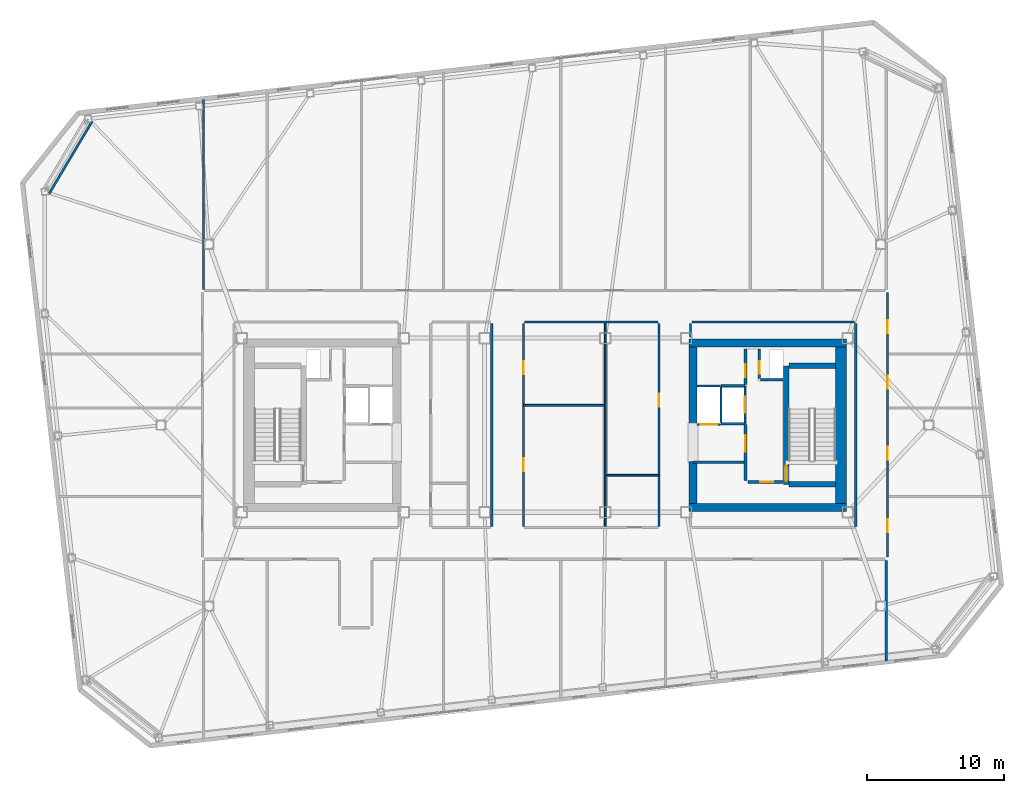
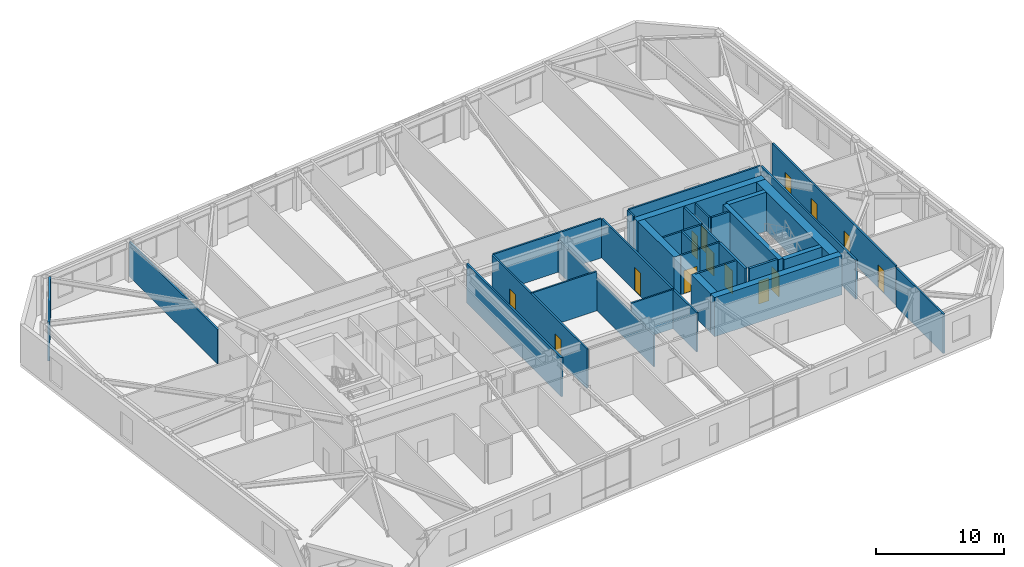
# One storey, part 14 of 19: 34 walls, 14 doors, 14 openings.
"""IFC4 building model written with IfcOpenShell, lengths in metres."""

from ifc_helpers import new_model, si_unit, direction, frame, frame_2d, origin, place, context, subcontext, project, spatial, rectangle, extrude, material, layer, layer_set, type_object, element, fill, save


model = new_model("IFC4")

# Units and contexts
model_context = context("Model", 3, precision=1e-05, world=origin(), true_north=direction((0.0, 1.0)))
body_context = subcontext(model_context, "Body", "Model", "MODEL_VIEW")
ifc_project = project(units=[si_unit("LENGTHUNIT", "METRE"), si_unit("AREAUNIT", "SQUARE_METRE"), si_unit("VOLUMEUNIT", "CUBIC_METRE"), si_unit("PLANEANGLEUNIT", "RADIAN"), si_unit("MASSUNIT", "GRAM", prefix="KILO")], contexts=[model_context])

# Site, building, storey
site_placement = place(None, origin())
site = spatial("IfcSite", under=ifc_project, at=site_placement, CompositionType="ELEMENT")
building_placement = place(site_placement, origin())
building = spatial("IfcBuilding", under=site, at=building_placement, Name="Tavrogorsk Clinical Tower", CompositionType="ELEMENT")
storey_placement = place(building_placement, frame((0.0, 0.0, 255.0)))
storey = spatial("IfcBuildingStorey", under=building, at=storey_placement, Name="L59", CompositionType="ELEMENT", Elevation=255.0)

# Wall, opening, door
ifc_material_1 = material(Name="Concrete B60", Category="concrete")
ifc_layer_1 = layer(ifc_material_1, 0.199951171875)
ifc_layer_set_1 = layer_set([ifc_layer_1], Name="Concrete B60")
wall_type_1 = type_object("IfcWallType", Name="CoreFireWall_200", PredefinedType="SOLIDWALL", material=ifc_layer_set_1)
wall_1_placement = place(storey_placement, frame((14.824951171875, -4.139892578125, 0.0), z_axis=(0.0, 0.0, 1.0), x_axis=(1.0, 0.0, 0.0)))
wall_1 = element("IfcWall", 1, at=wall_1_placement, inside=storey, type_object=wall_type_1, Name="L59 Core East South Core Room Fire Wall", PredefinedType="SOLIDWALL", context=body_context, shape_type="SweptSolid", body=[
    extrude(rectangle(XDim=2.554931640625, YDim=0.199951171875, at=frame_2d((1.27734375, 0.0))), origin(), (0.0, 0.0, 1.0), 3.739990234375),
])
opening_1_placement = place(wall_1_placement, frame((0.8798828125, 0.0, 0.0)))
opening_1 = element("IfcOpeningElement", 2, at=opening_1_placement, cuts=wall_1, Name="Opening ID-02", PredefinedType="OPENING", context=body_context, shape_type="SweptSolid", body=[
    extrude(rectangle(XDim=0.949951171875, YDim=2.199951171875, at=frame_2d((0.47509765625, 1.10009765625))), frame((0.0, 0.10986328125, 0.0), z_axis=(0.0, -1.0, 0.0), x_axis=(1.0, 0.0, 0.0)), (0.0, 0.0, 1.0), 0.219970703125),
])
ifc_material_2 = material(Name="Laminated timber leaf on aluminium frame", Category="wood")
door_type_1 = type_object("IfcDoorType", Name="InteriorDoor_ID02_950", OperationType="NOTDEFINED", PredefinedType="DOOR", material=ifc_material_2)
door_1_placement = place(opening_1_placement, origin())
door_1 = element("IfcDoor", 3, at=door_1_placement, inside=storey, type_object=door_type_1, Name="L59 Core East South Core Room Door", OperationType="SINGLE_SWING_RIGHT", OverallHeight=2.199951171875, OverallWidth=0.949951171875, PredefinedType="DOOR", context=body_context, shape_type="SweptSolid", body=[
    extrude(rectangle(XDim=0.949951171875, YDim=2.199951171875, at=frame_2d((0.47509765625, 1.10009765625))), frame((0.0, 0.02490234375, 0.0), z_axis=(0.0, -1.0, 0.0), x_axis=(1.0, 0.0, 0.0)), (0.0, 0.0, 1.0), 0.050048828125),
])
fill(opening_1, door_1)

wall_2_placement = place(storey_placement, frame((14.639892578125, 2.9599609375, 0.0), z_axis=(0.0, 0.0, 1.0), x_axis=(0.0, 1.0, 0.0)))
wall_2 = element("IfcWall", 4, at=wall_2_placement, inside=storey, type_object=wall_type_1, Name="L59 Core East North Core Room East Wall", PredefinedType="SOLIDWALL", context=body_context, shape_type="SweptSolid", body=[
    extrude(rectangle(XDim=2.60009765625, YDim=0.199951171875, at=frame_2d((1.300048828125, 0.0))), origin(), (0.0, 0.0, 1.0), 3.739990234375),
])
opening_2_placement = place(wall_2_placement, frame((0.52001953125, 0.0, 0.0)))
opening_2 = element("IfcOpeningElement", 5, at=opening_2_placement, cuts=wall_2, Name="Opening ID-02", PredefinedType="OPENING", context=body_context, shape_type="SweptSolid", body=[
    extrude(rectangle(XDim=0.949951171875, YDim=2.199951171875, at=frame_2d((0.47509765625, 1.10009765625))), frame((0.0, 0.10986328125, 0.0), z_axis=(0.0, -1.0, 0.0), x_axis=(1.0, 0.0, 0.0)), (0.0, 0.0, 1.0), 0.219970703125),
])
door_2_placement = place(opening_2_placement, origin())
door_2 = element("IfcDoor", 6, at=door_2_placement, inside=storey, type_object=door_type_1, Name="L59 Core East Core Telemetry Room Door", OperationType="SINGLE_SWING_LEFT", OverallHeight=2.199951171875, OverallWidth=0.949951171875, PredefinedType="DOOR", context=body_context, shape_type="SweptSolid", body=[
    extrude(rectangle(XDim=0.949951171875, YDim=2.199951171875, at=frame_2d((0.47509765625, 1.10009765625))), frame((0.0, 0.02490234375, 0.0), z_axis=(0.0, -1.0, 0.0), x_axis=(1.0, 0.0, 0.0)), (0.0, 0.0, 1.0), 0.050048828125),
])
fill(opening_2, door_2)

wall_3_placement = place(storey_placement, frame((14.639892578125, -4.034912109375, 0.0), z_axis=(0.0, 0.0, 1.0), x_axis=(0.0, 1.0, 0.0)))
wall_3 = element("IfcWall", 7, at=wall_3_placement, inside=storey, type_object=wall_type_1, Name="L59 Core East Firefighting Lobby Fire Wall", PredefinedType="SOLIDWALL", context=body_context, shape_type="SweptSolid", body=[
    extrude(rectangle(XDim=4.074951171875, YDim=0.199951171875, at=frame_2d((2.03759765625, 0.0))), origin(), (0.0, 0.0, 1.0), 3.739990234375),
])
opening_3_placement = place(wall_3_placement, frame((2.090087890625, 0.0, 0.0)))
opening_3 = element("IfcOpeningElement", 8, at=opening_3_placement, cuts=wall_3, Name="Opening FD-01", PredefinedType="OPENING", context=body_context, shape_type="SweptSolid", body=[
    extrude(rectangle(XDim=1.199951171875, YDim=2.199951171875, at=frame_2d((0.60009765625, 1.10009765625))), frame((0.0, 0.10986328125, 0.0), z_axis=(0.0, -1.0, 0.0), x_axis=(1.0, 0.0, 0.0)), (0.0, 0.0, 1.0), 0.219970703125),
])
ifc_material_3 = material(Name="Galvanised steel fire-rated door assembly", Category="steel")
door_type_2 = type_object("IfcDoorType", Name="FireDoor_FD01_1200", OperationType="NOTDEFINED", PredefinedType="DOOR", material=ifc_material_3)
door_3_placement = place(opening_3_placement, origin())
door_3 = element("IfcDoor", 9, at=door_3_placement, inside=storey, type_object=door_type_2, Name="L59 Core East Firefighting Lobby Entry Door", OperationType="SINGLE_SWING_RIGHT", OverallHeight=2.199951171875, OverallWidth=1.199951171875, PredefinedType="DOOR", context=body_context, shape_type="SweptSolid", body=[
    extrude(rectangle(XDim=1.199951171875, YDim=2.199951171875, at=frame_2d((0.60009765625, 1.10009765625))), frame((0.0, 0.02490234375, 0.0), z_axis=(0.0, -1.0, 0.0), x_axis=(1.0, 0.0, 0.0)), (0.0, 0.0, 1.0), 0.050048828125),
])
fill(opening_3, door_3)

# Walls
ifc_material_4 = material(Name="Lightweight concrete blockwork B15", Category="masonry")
ifc_layer_2 = layer(ifc_material_4, 0.139892578125)
ifc_layer_set_2 = layer_set([ifc_layer_2], Name="Lightweight concrete blockwork B15")
wall_type_2 = type_object("IfcWallType", Name="PartitionWall_140", PredefinedType="PARTITIONING", material=ifc_layer_set_2)
wall_4_placement = place(storey_placement, frame((4.39990234375, -7.465087890625, 0.0), z_axis=(0.0, 0.0, 1.0), x_axis=(0.0, 1.0, 0.0)))
element("IfcWall", 10, at=wall_4_placement, inside=storey, type_object=wall_type_2, Name="L59 Central Spine Partition 2", PredefinedType="PARTITIONING", context=body_context, shape_type="SweptSolid", body=[
    extrude(rectangle(XDim=14.97998046875, YDim=0.139892578125, at=frame_2d((7.489990234375, 0.0))), origin(), (0.0, 0.0, 1.0), 3.034912109375),
])
wall_5_placement = place(storey_placement, frame((-1.56494140625, 1.449951171875, 0.0), z_axis=(0.0, 0.0, 1.0), x_axis=(1.0, 0.0, 0.0)))
element("IfcWall", 11, at=wall_5_placement, inside=storey, type_object=wall_type_2, Name="L59 Central Spine Partition 3", PredefinedType="PARTITIONING", context=body_context, shape_type="SweptSolid", body=[
    extrude(rectangle(XDim=5.889892578125, YDim=0.139892578125, at=frame_2d((2.94482421875, 0.0))), origin(), (0.0, 0.0, 1.0), 3.739990234375),
])
wall_6_placement = place(storey_placement, frame((4.47509765625, -3.64990234375, 0.0), z_axis=(0.0, 0.0, 1.0), x_axis=(1.0, 0.0, 0.0)))
element("IfcWall", 12, at=wall_6_placement, inside=storey, type_object=wall_type_2, Name="L59 Central Spine Partition 5", PredefinedType="PARTITIONING", context=body_context, shape_type="SweptSolid", body=[
    extrude(rectangle(XDim=3.83984375, YDim=0.139892578125, at=frame_2d((1.919921875, 0.0))), origin(), (0.0, 0.0, 1.0), 3.739990234375),
])
ifc_material_5 = material(Name="Lightweight concrete blockwork B15", Category="masonry")
ifc_layer_3 = layer(ifc_material_5, 0.159912109375)
ifc_layer_set_3 = layer_set([ifc_layer_3], Name="Lightweight concrete blockwork B15")
wall_type_3 = type_object("IfcWallType", Name="PartitionWall_160", PredefinedType="PARTITIONING", material=ifc_layer_set_3)
wall_7_placement = place(storey_placement, frame((10.800048828125, -2.699951171875, 0.0), z_axis=(0.0, 0.0, 1.0), x_axis=(1.0, 0.0, 0.0)))
element("IfcWall", 13, at=wall_7_placement, inside=storey, type_object=wall_type_3, Name="L59 Core East Freed Mid-Bank North Partition", PredefinedType="PARTITIONING", context=body_context, shape_type="SweptSolid", body=[
    extrude(rectangle(XDim=3.73486328125, YDim=0.159912109375, at=frame_2d((1.867431640625, 0.0))), origin(), (0.0, 0.0, 1.0), 3.739990234375),
])
wall_8_placement = place(storey_placement, frame((-33.016357421875, 22.17138671875, 0.0), z_axis=(0.0, 0.0, 1.0), x_axis=(-0.511385266265, -0.859351563359, 0.0)))
element("IfcWall", 14, at=wall_8_placement, inside=storey, type_object=wall_type_3, Name="L59 Corner Exoskeleton Brace Furring Wall 3", PredefinedType="PARTITIONING", context=body_context, shape_type="SweptSolid", body=[
    extrude(rectangle(XDim=6.181884765625, YDim=0.159912109375, at=frame_2d((3.0908203125, 0.0))), origin(), (0.0, 0.0, 1.0), 3.739990234375),
])

# Wall, openings, doors
wall_9_placement = place(storey_placement, frame((24.97998046875, 9.6650390625, 0.0), z_axis=(0.0, 0.0, 1.0), x_axis=(0.0, -1.0, 0.0)))
wall_9 = element("IfcWall", 15, at=wall_9_placement, inside=storey, type_object=wall_type_3, Name="L59 Corridor Partition 03", PredefinedType="PARTITIONING", context=body_context, shape_type="SweptSolid", body=[
    extrude(rectangle(XDim=19.280029296875, YDim=0.159912109375, at=frame_2d((9.64013671875, 0.0))), origin(), (0.0, 0.0, 1.0), 3.739990234375),
])
opening_4_placement = place(wall_9_placement, frame((16.531005859375, 0.0, 0.0)))
opening_4 = element("IfcOpeningElement", 16, at=opening_4_placement, cuts=wall_9, Name="Opening ID-02", PredefinedType="OPENING", context=body_context, shape_type="SweptSolid", body=[
    extrude(rectangle(XDim=0.949951171875, YDim=2.199951171875, at=frame_2d((0.47509765625, 1.10009765625))), frame((0.0, 0.08984375, 0.0), z_axis=(0.0, -1.0, 0.0), x_axis=(1.0, 0.0, 0.0)), (0.0, 0.0, 1.0), 0.179931640625),
])
opening_5_placement = place(wall_9_placement, frame((11.25, 0.0, 0.0)))
opening_5 = element("IfcOpeningElement", 17, at=opening_5_placement, cuts=wall_9, Name="Opening ID-02", PredefinedType="OPENING", context=body_context, shape_type="SweptSolid", body=[
    extrude(rectangle(XDim=0.949951171875, YDim=2.199951171875, at=frame_2d((0.47509765625, 1.10009765625))), frame((0.0, 0.08984375, 0.0), z_axis=(0.0, -1.0, 0.0), x_axis=(1.0, 0.0, 0.0)), (0.0, 0.0, 1.0), 0.179931640625),
])
opening_6_placement = place(wall_9_placement, frame((6.050048828125, 0.0, 0.0)))
opening_6 = element("IfcOpeningElement", 18, at=opening_6_placement, cuts=wall_9, Name="Opening ID-02", PredefinedType="OPENING", context=body_context, shape_type="SweptSolid", body=[
    extrude(rectangle(XDim=0.949951171875, YDim=2.199951171875, at=frame_2d((0.47509765625, 1.10009765625))), frame((0.0, 0.08984375, 0.0), z_axis=(0.0, -1.0, 0.0), x_axis=(1.0, 0.0, 0.0)), (0.0, 0.0, 1.0), 0.179931640625),
])
opening_7_placement = place(wall_9_placement, frame((1.994140625, 0.0, 0.0)))
opening_7 = element("IfcOpeningElement", 19, at=opening_7_placement, cuts=wall_9, Name="Opening ID-02", PredefinedType="OPENING", context=body_context, shape_type="SweptSolid", body=[
    extrude(rectangle(XDim=0.949951171875, YDim=2.199951171875, at=frame_2d((0.47509765625, 1.10009765625))), frame((0.0, 0.08984375, 0.0), z_axis=(0.0, -1.0, 0.0), x_axis=(1.0, 0.0, 0.0)), (0.0, 0.0, 1.0), 0.179931640625),
])
door_4_placement = place(opening_4_placement, origin())
door_4 = element("IfcDoor", 20, at=door_4_placement, inside=storey, type_object=door_type_1, Name="L59 E Senior Clinician Suite 1 Door", OperationType="SINGLE_SWING_LEFT", OverallHeight=2.199951171875, OverallWidth=0.949951171875, PredefinedType="DOOR", context=body_context, shape_type="SweptSolid", body=[
    extrude(rectangle(XDim=0.949951171875, YDim=2.199951171875, at=frame_2d((0.47509765625, 1.10009765625))), frame((0.0, 0.02490234375, 0.0), z_axis=(0.0, -1.0, 0.0), x_axis=(1.0, 0.0, 0.0)), (0.0, 0.0, 1.0), 0.050048828125),
])
fill(opening_4, door_4)
door_5_placement = place(opening_5_placement, origin())
door_5 = element("IfcDoor", 21, at=door_5_placement, inside=storey, type_object=door_type_1, Name="L59 E Multidisciplinary Seminar Suite 2 Door", OperationType="SINGLE_SWING_RIGHT", OverallHeight=2.199951171875, OverallWidth=0.949951171875, PredefinedType="DOOR", context=body_context, shape_type="SweptSolid", body=[
    extrude(rectangle(XDim=0.949951171875, YDim=2.199951171875, at=frame_2d((0.47509765625, 1.10009765625))), frame((0.0, 0.02490234375, 0.0), z_axis=(0.0, -1.0, 0.0), x_axis=(1.0, 0.0, 0.0)), (0.0, 0.0, 1.0), 0.050048828125),
])
fill(opening_5, door_5)
door_6_placement = place(opening_6_placement, origin())
door_6 = element("IfcDoor", 22, at=door_6_placement, inside=storey, type_object=door_type_1, Name="L59 E Specialist Consultation Room 3 Door", OperationType="SINGLE_SWING_LEFT", OverallHeight=2.199951171875, OverallWidth=0.949951171875, PredefinedType="DOOR", context=body_context, shape_type="SweptSolid", body=[
    extrude(rectangle(XDim=0.949951171875, YDim=2.199951171875, at=frame_2d((0.47509765625, 1.10009765625))), frame((0.0, 0.02490234375, 0.0), z_axis=(0.0, -1.0, 0.0), x_axis=(1.0, 0.0, 0.0)), (0.0, 0.0, 1.0), 0.050048828125),
])
fill(opening_6, door_6)
door_7_placement = place(opening_7_placement, origin())
door_7 = element("IfcDoor", 23, at=door_7_placement, inside=storey, type_object=door_type_1, Name="L59 E Clinical Fellows' Study 4 Door", OperationType="SINGLE_SWING_RIGHT", OverallHeight=2.199951171875, OverallWidth=0.949951171875, PredefinedType="DOOR", context=body_context, shape_type="SweptSolid", body=[
    extrude(rectangle(XDim=0.949951171875, YDim=2.199951171875, at=frame_2d((0.47509765625, 1.10009765625))), frame((0.0, 0.02490234375, 0.0), z_axis=(0.0, -1.0, 0.0), x_axis=(1.0, 0.0, 0.0)), (0.0, 0.0, 1.0), 0.050048828125),
])
fill(opening_7, door_7)

# Walls
wall_10_placement = place(storey_placement, frame((22.5849609375, 7.52001953125, 0.0), z_axis=(0.0, 0.0, 1.0), x_axis=(-1.0, 0.0, 0.0)))
element("IfcWall", 24, at=wall_10_placement, inside=storey, type_object=wall_type_3, Name="L59 Corridor Partition 09", PredefinedType="PARTITIONING", context=body_context, shape_type="SweptSolid", body=[
    extrude(rectangle(XDim=11.869873046875, YDim=0.159912109375, at=frame_2d((5.93505859375, 0.0))), origin(), (0.0, 0.0, 1.0), 3.739990234375),
])
wall_11_placement = place(storey_placement, frame((10.6298828125, 7.43505859375, 0.0), z_axis=(0.0, 0.0, 1.0), x_axis=(0.0, -1.0, 0.0)))
element("IfcWall", 25, at=wall_11_placement, inside=storey, type_object=wall_type_3, Name="L59 Corridor Partition 10", PredefinedType="PARTITIONING", context=body_context, shape_type="SweptSolid", body=[
    extrude(rectangle(XDim=1.01513671875, YDim=0.159912109375, at=frame_2d((0.507568359375, 0.0))), origin(), (0.0, 0.0, 1.0), 3.739990234375),
])
wall_12_placement = place(storey_placement, frame((22.669921875, -7.385009765625, 0.0), z_axis=(0.0, 0.0, 1.0), x_axis=(0.0, 1.0, 0.0)))
element("IfcWall", 26, at=wall_12_placement, inside=storey, type_object=wall_type_3, Name="L59 Corridor Partition 13", PredefinedType="PARTITIONING", context=body_context, shape_type="SweptSolid", body=[
    extrude(rectangle(XDim=14.820068359375, YDim=0.159912109375, at=frame_2d((7.41015625, 0.0))), origin(), (0.0, 0.0, 1.0), 3.739990234375),
])
wall_13_placement = place(storey_placement, frame((8.235107421875, 7.52001953125, 0.0), z_axis=(0.0, 0.0, 1.0), x_axis=(-1.0, 0.0, 0.0)))
element("IfcWall", 27, at=wall_13_placement, inside=storey, type_object=wall_type_3, Name="L59 Corridor Partition 14", PredefinedType="PARTITIONING", context=body_context, shape_type="SweptSolid", body=[
    extrude(rectangle(XDim=9.72021484375, YDim=0.159912109375, at=frame_2d((4.860107421875, 0.0))), origin(), (0.0, 0.0, 1.0), 3.739990234375),
])

# Wall, openings, doors
wall_14_placement = place(storey_placement, frame((-1.570068359375, 7.43505859375, 0.0), z_axis=(0.0, 0.0, 1.0), x_axis=(0.0, -1.0, 0.0)))
wall_14 = element("IfcWall", 28, at=wall_14_placement, inside=storey, type_object=wall_type_3, Name="L59 Corridor Partition 15", PredefinedType="PARTITIONING", context=body_context, shape_type="SweptSolid", body=[
    extrude(rectangle(XDim=14.820068359375, YDim=0.159912109375, at=frame_2d((7.41015625, 0.0))), origin(), (0.0, 0.0, 1.0), 3.739990234375),
])
opening_8_placement = place(wall_14_placement, frame((9.86083984375, 0.0, 0.0)))
opening_8 = element("IfcOpeningElement", 29, at=opening_8_placement, cuts=wall_14, Name="Opening ID-02", PredefinedType="OPENING", context=body_context, shape_type="SweptSolid", body=[
    extrude(rectangle(XDim=0.949951171875, YDim=2.199951171875, at=frame_2d((0.47509765625, 1.10009765625))), frame((0.0, 0.08984375, 0.0), z_axis=(0.0, -1.0, 0.0), x_axis=(1.0, 0.0, 0.0)), (0.0, 0.0, 1.0), 0.179931640625),
])
opening_9_placement = place(wall_14_placement, frame((2.754150390625, 0.0, 0.0)))
opening_9 = element("IfcOpeningElement", 30, at=opening_9_placement, cuts=wall_14, Name="Opening ID-02", PredefinedType="OPENING", context=body_context, shape_type="SweptSolid", body=[
    extrude(rectangle(XDim=0.949951171875, YDim=2.199951171875, at=frame_2d((0.47509765625, 1.10009765625))), frame((0.0, 0.08984375, 0.0), z_axis=(0.0, -1.0, 0.0), x_axis=(1.0, 0.0, 0.0)), (0.0, 0.0, 1.0), 0.179931640625),
])
door_8_placement = place(opening_8_placement, origin())
door_8 = element("IfcDoor", 31, at=door_8_placement, inside=storey, type_object=door_type_1, Name="L59 Multidisciplinary Conference Room Door", OperationType="SINGLE_SWING_LEFT", OverallHeight=2.199951171875, OverallWidth=0.949951171875, PredefinedType="DOOR", context=body_context, shape_type="SweptSolid", body=[
    extrude(rectangle(XDim=0.949951171875, YDim=2.199951171875, at=frame_2d((0.47509765625, 1.10009765625))), frame((0.0, 0.02490234375, 0.0), z_axis=(0.0, -1.0, 0.0), x_axis=(1.0, 0.0, 0.0)), (0.0, 0.0, 1.0), 0.050048828125),
])
fill(opening_8, door_8)
door_9_placement = place(opening_9_placement, origin())
door_9 = element("IfcDoor", 32, at=door_9_placement, inside=storey, type_object=door_type_1, Name="L59 Nurses' Station & Triage Hub Door", OperationType="SINGLE_SWING_RIGHT", OverallHeight=2.199951171875, OverallWidth=0.949951171875, PredefinedType="DOOR", context=body_context, shape_type="SweptSolid", body=[
    extrude(rectangle(XDim=0.949951171875, YDim=2.199951171875, at=frame_2d((0.47509765625, 1.10009765625))), frame((0.0, 0.02490234375, 0.0), z_axis=(0.0, -1.0, 0.0), x_axis=(1.0, 0.0, 0.0)), (0.0, 0.0, 1.0), 0.050048828125),
])
fill(opening_9, door_9)

# Wall, opening, door
wall_15_placement = place(storey_placement, frame((8.320068359375, -7.385009765625, 0.0), z_axis=(0.0, 0.0, 1.0), x_axis=(0.0, 1.0, 0.0)))
wall_15 = element("IfcWall", 33, at=wall_15_placement, inside=storey, type_object=wall_type_3, Name="L59 Corridor Partition 17", PredefinedType="PARTITIONING", context=body_context, shape_type="SweptSolid", body=[
    extrude(rectangle(XDim=14.820068359375, YDim=0.159912109375, at=frame_2d((7.41015625, 0.0))), origin(), (0.0, 0.0, 1.0), 3.739990234375),
])
opening_10_placement = place(wall_15_placement, frame((8.73583984375, 0.0, 0.0)))
opening_10 = element("IfcOpeningElement", 34, at=opening_10_placement, cuts=wall_15, Name="Opening ID-02", PredefinedType="OPENING", context=body_context, shape_type="SweptSolid", body=[
    extrude(rectangle(XDim=0.949951171875, YDim=2.199951171875, at=frame_2d((0.47509765625, 1.10009765625))), frame((0.0, 0.08984375, 0.0), z_axis=(0.0, -1.0, 0.0), x_axis=(1.0, 0.0, 0.0)), (0.0, 0.0, 1.0), 0.179931640625),
])
door_10_placement = place(opening_10_placement, origin())
door_10 = element("IfcDoor", 35, at=door_10_placement, inside=storey, type_object=door_type_1, Name="L59 Attending Physician Office Door", OperationType="SINGLE_SWING_RIGHT", OverallHeight=2.199951171875, OverallWidth=0.949951171875, PredefinedType="DOOR", context=body_context, shape_type="SweptSolid", body=[
    extrude(rectangle(XDim=0.949951171875, YDim=2.199951171875, at=frame_2d((0.47509765625, 1.10009765625))), frame((0.0, 0.02490234375, 0.0), z_axis=(0.0, -1.0, 0.0), x_axis=(1.0, 0.0, 0.0)), (0.0, 0.0, 1.0), 0.050048828125),
])
fill(opening_10, door_10)

# Walls
wall_16_placement = place(storey_placement, frame((-3.8798828125, -7.385009765625, 0.0), z_axis=(0.0, 0.0, 1.0), x_axis=(0.0, 1.0, 0.0)))
element("IfcWall", 36, at=wall_16_placement, inside=storey, type_object=wall_type_3, Name="L59 Corridor Partition 18", PredefinedType="PARTITIONING", context=body_context, shape_type="SweptSolid", body=[
    extrude(rectangle(XDim=14.820068359375, YDim=0.159912109375, at=frame_2d((7.41015625, 0.0))), origin(), (0.0, 0.0, 1.0), 3.739990234375),
])
wall_17_placement = place(storey_placement, frame((-24.89990234375, 9.9150390625, 0.0), z_axis=(0.0, 0.0, 1.0), x_axis=(0.0, 1.0, 0.0)))
element("IfcWall", 37, at=wall_17_placement, inside=storey, type_object=wall_type_3, Name="L59 NW Wing Closure Partition", PredefinedType="PARTITIONING", context=body_context, shape_type="SweptSolid", body=[
    extrude(rectangle(XDim=13.831298828125, YDim=0.159912109375, at=frame_2d((6.91552734375, 0.0))), origin(), (0.0, 0.0, 1.0), 3.284912109375),
])
wall_18_placement = place(storey_placement, frame((24.89990234375, -17.199462890625, 0.0), z_axis=(0.0, 0.0, 1.0), x_axis=(0.0, 1.0, 0.0)))
element("IfcWall", 38, at=wall_18_placement, inside=storey, type_object=wall_type_3, Name="L59 SE Wing Closure Partition", PredefinedType="PARTITIONING", context=body_context, shape_type="SweptSolid", body=[
    extrude(rectangle(XDim=7.33447265625, YDim=0.159912109375, at=frame_2d((3.667236328125, 0.0))), origin(), (0.0, 0.0, 1.0), 3.739990234375),
])

# Wall, opening, door
ifc_material_6 = material(Name="Lightweight concrete blockwork B25", Category="masonry")
ifc_layer_4 = layer(ifc_material_6, 0.159912109375)
ifc_layer_set_4 = layer_set([ifc_layer_4], Name="Lightweight concrete blockwork B25")
wall_type_4 = type_object("IfcWallType", Name="ShaftWall_160", PredefinedType="PARTITIONING", material=ifc_layer_set_4)
wall_19_placement = place(storey_placement, frame((14.60009765625, 0.1201171875, 0.0), z_axis=(0.0, 0.0, 1.0), x_axis=(0.0, 1.0, 0.0)))
wall_19 = element("IfcWall", 39, at=wall_19_placement, inside=storey, type_object=wall_type_4, Name="L59 FFL-E Firefighting Lift Front Wall", PredefinedType="PARTITIONING", context=body_context, shape_type="SweptSolid", body=[
    extrude(rectangle(XDim=2.739990234375, YDim=0.159912109375, at=frame_2d((1.3701171875, 0.0))), origin(), (0.0, 0.0, 1.0), 3.739990234375),
])
opening_11_placement = place(wall_19_placement, frame((0.77001953125, 0.0, 0.0)))
opening_11 = element("IfcOpeningElement", 40, at=opening_11_placement, cuts=wall_19, Name="Opening LD", PredefinedType="OPENING", context=body_context, shape_type="SweptSolid", body=[
    extrude(rectangle(XDim=1.199951171875, YDim=2.199951171875, at=frame_2d((0.60009765625, 1.10009765625))), frame((0.0, 0.08984375, 0.0), z_axis=(0.0, -1.0, 0.0), x_axis=(1.0, 0.0, 0.0)), (0.0, 0.0, 1.0), 0.179931640625),
])
ifc_material_7 = material(Name="Brushed stainless steel AISI 304 sliding doors", Category="steel")
door_type_3 = type_object("IfcDoorType", Name="LiftLandingDoor_LD_1200", OperationType="SLIDING_TO_LEFT", PredefinedType="DOOR", material=ifc_material_7)
door_11_placement = place(opening_11_placement, origin())
door_11 = element("IfcDoor", 41, at=door_11_placement, inside=storey, type_object=door_type_3, Name="L59 FFL-E Sliding Lift Landing Door", OperationType="SLIDING_TO_LEFT", OverallHeight=2.199951171875, OverallWidth=1.199951171875, PredefinedType="DOOR", context=body_context, shape_type="SweptSolid", body=[
    extrude(rectangle(XDim=1.199951171875, YDim=2.199951171875, at=frame_2d((0.60009765625, 1.10009765625))), frame((0.0, 0.02490234375, 0.0), z_axis=(0.0, -1.0, 0.0), x_axis=(1.0, 0.0, 0.0)), (0.0, 0.0, 1.0), 0.050048828125),
])
fill(opening_11, door_11)

# Walls
for number, where, z_axis, x_axis, name in (
    (42, (12.840087890625, 0.10009765625, 0.0), (0.0, 0.0, 1.0), (1.0, 0.0, 0.0), "L59 FFL-E Shaft South Wall"),
    (43, (12.840087890625, 2.8798828125, 0.0), (0.0, 0.0, 1.0), (1.0, 0.0, 0.0), "L59 FFL-E Shaft North Wall"),
):
    element("IfcWall", number, at=place(storey_placement, frame(where, z_axis=z_axis, x_axis=x_axis)), inside=storey, type_object=wall_type_4, Name=name, PredefinedType="PARTITIONING", context=body_context, shape_type="SweptSolid", body=[
        extrude(rectangle(XDim=1.760009765625, YDim=0.159912109375, at=frame_2d((0.8798828125, 0.0))), origin(), (0.0, 0.0, 1.0), 3.739990234375),
    ])
wall_20_placement = place(storey_placement, frame((12.840087890625, 0.179931640625, 0.0), z_axis=(0.0, 0.0, 1.0), x_axis=(0.0, 1.0, 0.0)))
element("IfcWall", 44, at=wall_20_placement, inside=storey, type_object=wall_type_4, Name="L59 FFL-E Shaft Back Wall", PredefinedType="PARTITIONING", context=body_context, shape_type="SweptSolid", body=[
    extrude(rectangle(XDim=2.6201171875, YDim=0.159912109375, at=frame_2d((1.31005859375, 0.0))), origin(), (0.0, 0.0, 1.0), 3.739990234375),
])

# Wall, opening, door
wall_21_placement = place(storey_placement, frame((11.10009765625, 0.06005859375, 0.0), z_axis=(0.0, 0.0, 1.0), x_axis=(1.0, 0.0, 0.0)))
wall_21 = element("IfcWall", 45, at=wall_21_placement, inside=storey, type_object=wall_type_4, Name="L59 LP-H2 High-Zone Lift Portal Wall", PredefinedType="PARTITIONING", context=body_context, shape_type="SweptSolid", body=[
    extrude(rectangle(XDim=1.719970703125, YDim=0.159912109375, at=frame_2d((0.85986328125, 0.0))), origin(), (0.0, 0.0, 1.0), 3.739990234375),
])
opening_12_placement = place(wall_21_placement, frame((0.260009765625, 0.0, 0.0)))
opening_12 = element("IfcOpeningElement", 46, at=opening_12_placement, cuts=wall_21, Name="Opening LD", PredefinedType="OPENING", context=body_context, shape_type="SweptSolid", body=[
    extrude(rectangle(XDim=1.199951171875, YDim=2.199951171875, at=frame_2d((0.60009765625, 1.10009765625))), frame((0.0, 0.08984375, 0.0), z_axis=(0.0, -1.0, 0.0), x_axis=(1.0, 0.0, 0.0)), (0.0, 0.0, 1.0), 0.179931640625),
])
door_12_placement = place(opening_12_placement, origin())
door_12 = element("IfcDoor", 47, at=door_12_placement, inside=storey, type_object=door_type_3, Name="L59 LP-H2 Sliding Lift Landing Door", OperationType="SLIDING_TO_LEFT", OverallHeight=2.199951171875, OverallWidth=1.199951171875, PredefinedType="DOOR", context=body_context, shape_type="SweptSolid", body=[
    extrude(rectangle(XDim=1.199951171875, YDim=2.199951171875, at=frame_2d((0.60009765625, 1.10009765625))), frame((0.0, 0.02490234375, 0.0), z_axis=(0.0, -1.0, 0.0), x_axis=(1.0, 0.0, 0.0)), (0.0, 0.0, 1.0), 0.050048828125),
])
fill(opening_12, door_12)

# Wall
wall_22_placement = place(storey_placement, frame((11.10009765625, 2.860107421875, 0.0), z_axis=(0.0, 0.0, 1.0), x_axis=(1.0, 0.0, 0.0)))
element("IfcWall", 48, at=wall_22_placement, inside=storey, type_object=wall_type_4, Name="L59 LP-H2 High-Zone Lift Rear Wall", PredefinedType="PARTITIONING", context=body_context, shape_type="SweptSolid", body=[
    extrude(rectangle(XDim=1.719970703125, YDim=0.159912109375, at=frame_2d((0.85986328125, 0.0))), origin(), (0.0, 0.0, 1.0), 3.739990234375),
])

# Wall, opening, door
wall_23_placement = place(storey_placement, frame((15.639892578125, 3.405029296875, 0.0), z_axis=(0.0, 0.0, 1.0), x_axis=(0.0, 1.0, 0.0)))
wall_23 = element("IfcWall", 49, at=wall_23_placement, inside=storey, type_object=wall_type_4, Name="L59 Core East Riser West Wall", PredefinedType="PARTITIONING", context=body_context, shape_type="SweptSolid", body=[
    extrude(rectangle(XDim=2.155029296875, YDim=0.159912109375, at=frame_2d((1.07763671875, 0.0))), origin(), (0.0, 0.0, 1.0), 3.739990234375),
])
opening_13_placement = place(wall_23_placement, frame((0.35009765625, 0.0, 0.0)))
opening_13 = element("IfcOpeningElement", 50, at=opening_13_placement, cuts=wall_23, Name="Opening FD-02", PredefinedType="OPENING", context=body_context, shape_type="SweptSolid", body=[
    extrude(rectangle(XDim=0.89990234375, YDim=2.199951171875, at=frame_2d((0.449951171875, 1.10009765625))), frame((0.0, 0.08984375, 0.0), z_axis=(0.0, -1.0, 0.0), x_axis=(1.0, 0.0, 0.0)), (0.0, 0.0, 1.0), 0.179931640625),
])
ifc_material_8 = material(Name="Galvanised steel fire-rated door assembly", Category="steel")
door_type_4 = type_object("IfcDoorType", Name="FireDoor_FD02_900", OperationType="NOTDEFINED", PredefinedType="DOOR", material=ifc_material_8)
door_13_placement = place(opening_13_placement, origin())
door_13 = element("IfcDoor", 51, at=door_13_placement, inside=storey, type_object=door_type_4, Name="L59 Core East Electrical Riser Access Door", OperationType="SINGLE_SWING_LEFT", OverallHeight=2.199951171875, OverallWidth=0.89990234375, PredefinedType="DOOR", context=body_context, shape_type="SweptSolid", body=[
    extrude(rectangle(XDim=0.89990234375, YDim=2.199951171875, at=frame_2d((0.449951171875, 1.10009765625))), frame((0.0, 0.02490234375, 0.0), z_axis=(0.0, -1.0, 0.0), x_axis=(1.0, 0.0, 0.0)), (0.0, 0.0, 1.0), 0.050048828125),
])
fill(opening_13, door_13)

# Wall
wall_24_placement = place(storey_placement, frame((15.72509765625, 3.320068359375, 0.0), z_axis=(0.0, 0.0, 1.0), x_axis=(1.0, 0.0, 0.0)))
element("IfcWall", 52, at=wall_24_placement, inside=storey, type_object=wall_type_4, Name="L59 Core East Riser South Wall", PredefinedType="PARTITIONING", context=body_context, shape_type="SweptSolid", body=[
    extrude(rectangle(XDim=1.65478515625, YDim=0.159912109375, at=frame_2d((0.827392578125, 0.0))), origin(), (0.0, 0.0, 1.0), 3.739990234375),
])

# Wall, opening, door
ifc_material_9 = material(Name="Concrete B80", Category="concrete")
ifc_layer_5 = layer(ifc_material_9, 0.39990234375)
ifc_layer_set_5 = layer_set([ifc_layer_5], Name="Concrete B80")
wall_type_5 = type_object("IfcWallType", Name="ShearWall_400", PredefinedType="SHEAR", material=ifc_layer_set_5)
wall_25_placement = place(storey_placement, frame((17.60009765625, -4.324951171875, 0.0), z_axis=(0.0, 0.0, 1.0), x_axis=(0.0, 1.0, 0.0)))
wall_25 = element("IfcWall", 53, at=wall_25_placement, inside=storey, type_object=wall_type_5, Name="L59 Core East Stair Shaft Inner Shear Wall", PredefinedType="SHEAR", context=body_context, shape_type="SweptSolid", body=[
    extrude(rectangle(XDim=8.64990234375, YDim=0.39990234375, at=frame_2d((4.324951171875, 0.0))), origin(), (0.0, 0.0, 1.0), 3.739990234375),
])
opening_14_placement = place(wall_25_placement, frame((0.25, 0.0, 0.0)))
opening_14 = element("IfcOpeningElement", 54, at=opening_14_placement, cuts=wall_25, Name="Opening SD-01", PredefinedType="OPENING", context=body_context, shape_type="SweptSolid", body=[
    extrude(rectangle(XDim=1.10009765625, YDim=2.199951171875, at=frame_2d((0.550048828125, 1.10009765625))), frame((0.0, 0.2099609375, 0.0), z_axis=(0.0, -1.0, 0.0), x_axis=(1.0, 0.0, 0.0)), (0.0, 0.0, 1.0), 0.419921875),
])
ifc_material_10 = material(Name="Galvanised steel smoke-tight fire door assembly", Category="steel")
door_type_5 = type_object("IfcDoorType", Name="StairFireDoor_SD01_1100", OperationType="NOTDEFINED", PredefinedType="DOOR", material=ifc_material_10)
door_14_placement = place(opening_14_placement, origin())
door_14 = element("IfcDoor", 55, at=door_14_placement, inside=storey, type_object=door_type_5, Name="L59 ST-E Exit Stair Door", OperationType="SINGLE_SWING_LEFT", OverallHeight=2.199951171875, OverallWidth=1.10009765625, PredefinedType="DOOR", context=body_context, shape_type="SweptSolid", body=[
    extrude(rectangle(XDim=1.10009765625, YDim=2.199951171875, at=frame_2d((0.550048828125, 1.10009765625))), frame((0.0, 0.02490234375, 0.0), z_axis=(0.0, -1.0, 0.0), x_axis=(1.0, 0.0, 0.0)), (0.0, 0.0, 1.0), 0.050048828125),
])
fill(opening_14, door_14)

# Walls
for number, where, z_axis, x_axis, name in (
    (56, (17.800048828125, -4.324951171875, 0.0), (0.0, 0.0, 1.0), (1.0, 0.0, 0.0), "L59 Core East Stair Shaft South Shear Wall"),
    (57, (17.800048828125, 4.324951171875, 0.0), (0.0, 0.0, 1.0), (1.0, 0.0, 0.0), "L59 Core East Stair Shaft North Shear Wall"),
):
    element("IfcWall", number, at=place(storey_placement, frame(where, z_axis=z_axis, x_axis=x_axis)), inside=storey, type_object=wall_type_5, Name=name, PredefinedType="SHEAR", context=body_context, shape_type="SweptSolid", body=[
        extrude(rectangle(XDim=3.39990234375, YDim=0.39990234375, at=frame_2d((1.699951171875, 0.0))), origin(), (0.0, 0.0, 1.0), 3.739990234375),
    ])
ifc_material_11 = material(Name="Concrete B80", Category="concrete")
ifc_layer_6 = layer(ifc_material_11, 0.60009765625)
ifc_layer_set_6 = layer_set([ifc_layer_6], Name="Concrete B80")
wall_type_6 = type_object("IfcWallType", Name="ShearWall_600", PredefinedType="SHEAR", material=ifc_layer_set_6)
for number, where, z_axis, x_axis, name in (
    (58, (10.5, 6.0, 0.0), (0.0, 0.0, 1.0), (1.0, 0.0, 0.0), "L59 Core East North Shear Wall"),
    (59, (10.5, -6.0, 0.0), (0.0, 0.0, 1.0), (1.0, 0.0, 0.0), "L59 Core East South Shear Wall"),
):
    element("IfcWall", number, at=place(storey_placement, frame(where, z_axis=z_axis, x_axis=x_axis)), inside=storey, type_object=wall_type_6, Name=name, PredefinedType="SHEAR", context=body_context, shape_type="SweptSolid", body=[
        extrude(rectangle(XDim=11.5, YDim=0.60009765625, at=frame_2d((5.75, 0.0))), origin(), (0.0, 0.0, 1.0), 3.739990234375),
    ])
wall_26_placement = place(storey_placement, frame((10.800048828125, -5.699951171875, 0.0), z_axis=(0.0, 0.0, 1.0), x_axis=(0.0, 1.0, 0.0)))
element("IfcWall", 60, at=wall_26_placement, inside=storey, type_object=wall_type_6, Name="L59 Core East Inner South Pier", PredefinedType="SHEAR", context=body_context, shape_type="SweptSolid", body=[
    extrude(rectangle(XDim=3.050048828125, YDim=0.60009765625, at=frame_2d((1.52490234375, 0.0))), origin(), (0.0, 0.0, 1.0), 3.739990234375),
])
wall_27_placement = place(storey_placement, frame((10.800048828125, 0.050048828125, 0.0), z_axis=(0.0, 0.0, 1.0), x_axis=(0.0, 1.0, 0.0)))
element("IfcWall", 61, at=wall_27_placement, inside=storey, type_object=wall_type_6, Name="L59 Core East Inner North Pier", PredefinedType="SHEAR", context=body_context, shape_type="SweptSolid", body=[
    extrude(rectangle(XDim=5.64990234375, YDim=0.60009765625, at=frame_2d((2.824951171875, 0.0))), origin(), (0.0, 0.0, 1.0), 3.739990234375),
])
ifc_material_12 = material(Name="Concrete B80", Category="concrete")
ifc_layer_7 = layer(ifc_material_12, 0.800048828125)
ifc_layer_set_7 = layer_set([ifc_layer_7], Name="Concrete B80")
wall_type_7 = type_object("IfcWallType", Name="ShearWall_800", PredefinedType="SHEAR", material=ifc_layer_set_7)
wall_28_placement = place(storey_placement, frame((21.60009765625, -5.699951171875, 0.0), z_axis=(0.0, 0.0, 1.0), x_axis=(0.0, 1.0, 0.0)))
element("IfcWall", 62, at=wall_28_placement, inside=storey, type_object=wall_type_7, Name="L59 Core East End Shear Wall", PredefinedType="SHEAR", context=body_context, shape_type="SweptSolid", body=[
    extrude(rectangle(XDim=11.39990234375, YDim=0.800048828125, at=frame_2d((5.699951171875, 0.0))), origin(), (0.0, 0.0, 1.0), 3.739990234375),
])

save(model, "model.ifc")
